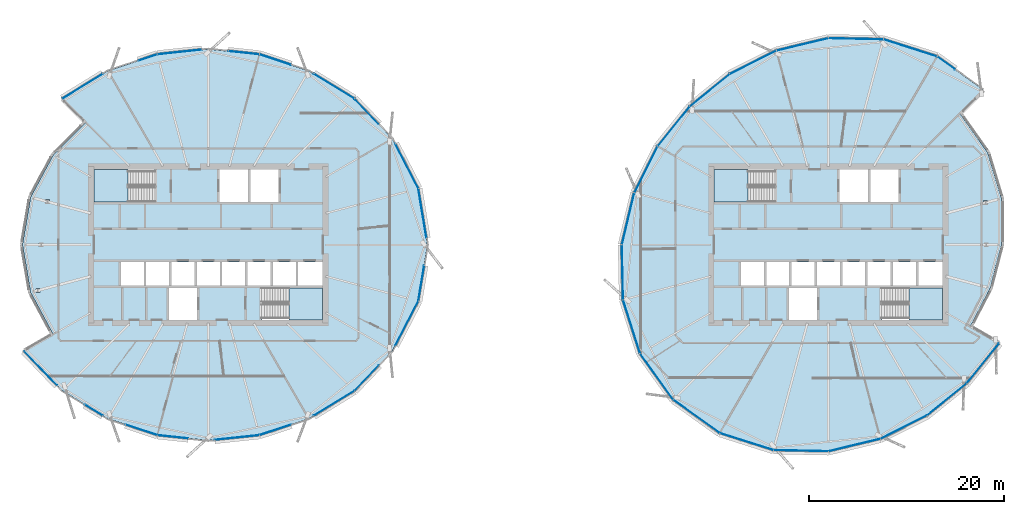
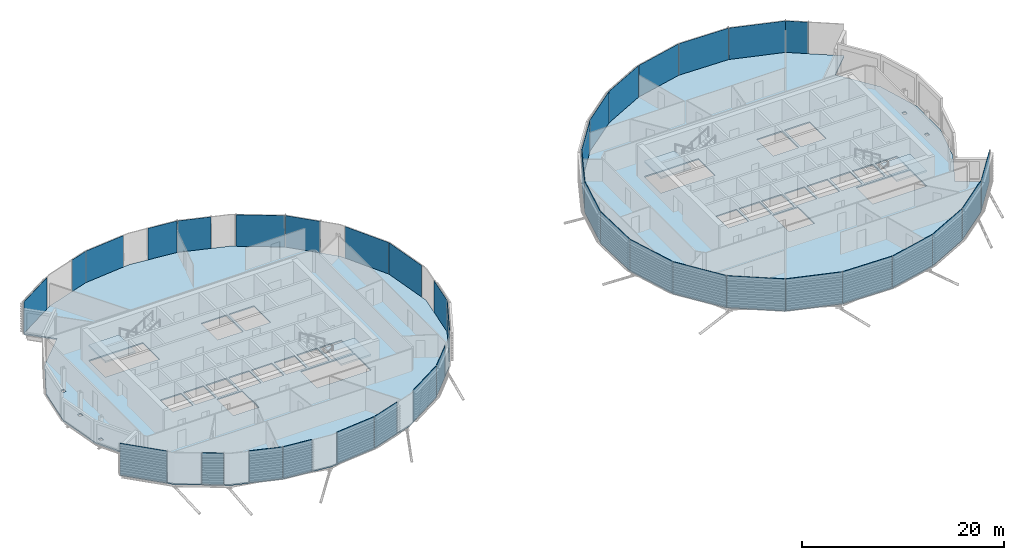
# One storey, part 18 of 37: 38 plates, 6 slabs, 6 elements without a shape of their own.
"""IFC4 building model written with IfcOpenShell, lengths in metres."""

from ifc_helpers import new_model, si_unit, direction, frame, origin, origin_2d, place, context, subcontext, project, spatial, polyline, rectangle, outline, extrude, material, layer, layer_set, type_object, element, aggregate, save


model = new_model("IFC4")

# Units and contexts
model_context = context("Model", 3, precision=1e-05, world=origin(), true_north=direction((0.0, 1.0)))
body_context = subcontext(model_context, "Body", "Model", "MODEL_VIEW")
ifc_project = project(units=[si_unit("LENGTHUNIT", "METRE"), si_unit("AREAUNIT", "SQUARE_METRE"), si_unit("VOLUMEUNIT", "CUBIC_METRE"), si_unit("PLANEANGLEUNIT", "RADIAN"), si_unit("MASSUNIT", "GRAM", prefix="KILO")], contexts=[model_context])

# Site, building, storey
site_placement = place(None, origin())
site = spatial("IfcSite", under=ifc_project, at=site_placement, CompositionType="ELEMENT")
building_placement = place(site_placement, origin())
building = spatial("IfcBuilding", under=site, at=building_placement, Name="Rimbun Link Towers", CompositionType="ELEMENT")
storey_placement = place(building_placement, frame((0.0, 0.0, 166.5)))
storey = spatial("IfcBuildingStorey", under=building, at=storey_placement, Name="L40", CompositionType="ELEMENT", Elevation=166.5)

# Slabs
ifc_material_1 = material(Name="Concrete C35/45", Category="concrete")
ifc_layer_1 = layer(ifc_material_1, 0.14990234375)
ifc_layer_set_1 = layer_set([ifc_layer_1], Name="COMPOSITE FLOOR 150")
slab_type_1 = type_object("IfcSlabType", Name="COMPOSITE FLOOR 150", PredefinedType="FLOOR", material=ifc_layer_set_1)
slab_1_placement = place(storey_placement, frame((0.0, 0.0, -0.14990234375)))
element("IfcSlab", 1, at=slab_1_placement, inside=storey, type_object=slab_type_1, Name="Floor slab T1 L40", PredefinedType="FLOOR", context=body_context, shape_type="SweptSolid", body=[
    extrude(outline(polyline([(-42.030029296875, 17.8056640625), (-36.97021484375, 19.482421875), (-31.75, 20.031982421875), (-26.52978515625, 19.482421875), (-21.469970703125, 17.8056640625), (-16.807373046875, 14.942626953125), (-12.909912109375, 10.87744140625), (-10.2607421875, 5.758056640625), (-9.31396484375, 0.0), (-10.2607421875, -5.758056640625), (-12.909912109375, -10.87744140625), (-16.807373046875, -14.942626953125), (-21.469970703125, -17.8056640625), (-26.52978515625, -19.482421875), (-31.75, -20.031982421875), (-36.97021484375, -19.482421875), (-42.030029296875, -17.8056640625), (-46.692626953125, -14.942626953125), (-50.590087890625, -10.87744140625), (-47.645751953125, -9.177490234375), (-49.955078125, -4.8779296875), (-50.785888671875, 0.0), (-49.955078125, 4.8779296875), (-47.645751953125, 9.177490234375), (-44.28857421875, 12.53857421875), (-46.692626953125, 14.942626953125), (-42.030029296875, 17.8056640625)]), holes=[polyline([(-32.89990234375, -7.699951171875), (-32.89990234375, -4.39990234375), (-35.800048828125, -4.39990234375), (-35.800048828125, -7.699951171875), (-32.89990234375, -7.699951171875)]), polyline([(-49.0126953125, -4.875732421875), (-49.0126953125, -4.482177734375), (-49.41162109375, -4.482177734375), (-49.41162109375, -4.875732421875), (-49.0126953125, -4.875732421875)]), polyline([(-38.361083984375, -4.14990234375), (-38.361083984375, -1.75), (-40.70556640625, -1.75), (-40.70556640625, -4.14990234375), (-38.361083984375, -4.14990234375)]), polyline([(-35.7666015625, -4.14990234375), (-35.7666015625, -1.75), (-38.111083984375, -1.75), (-38.111083984375, -4.14990234375), (-35.7666015625, -4.14990234375)]), polyline([(-33.172119140625, -4.14990234375), (-33.172119140625, -1.75), (-35.5166015625, -1.75), (-35.5166015625, -4.14990234375), (-33.172119140625, -4.14990234375)]), polyline([(-48.670654296875, -0.19677734375), (-48.670654296875, 0.19677734375), (-49.069580078125, 0.19677734375), (-49.069580078125, -0.19677734375), (-48.670654296875, -0.19677734375)]), polyline([(-48.0302734375, 4.218994140625), (-48.0302734375, 4.612548828125), (-48.42919921875, 4.612548828125), (-48.42919921875, 4.218994140625), (-48.0302734375, 4.218994140625)]), polyline([(-37.260009765625, 4.39990234375), (-37.260009765625, 7.699951171875), (-43.449951171875, 7.699951171875), (-43.449951171875, 4.39990234375), (-37.260009765625, 4.39990234375)]), polyline([(-20.050048828125, -7.699951171875), (-20.050048828125, -4.39990234375), (-26.239990234375, -4.39990234375), (-26.239990234375, -7.699951171875), (-20.050048828125, -7.699951171875)]), polyline([(-30.577880859375, -4.14990234375), (-30.577880859375, -1.75), (-32.922119140625, -1.75), (-32.922119140625, -4.14990234375), (-30.577880859375, -4.14990234375)]), polyline([(-27.9833984375, -4.14990234375), (-27.9833984375, -1.75), (-30.327880859375, -1.75), (-30.327880859375, -4.14990234375), (-27.9833984375, -4.14990234375)]), polyline([(-25.388916015625, -4.14990234375), (-25.388916015625, -1.75), (-27.7333984375, -1.75), (-27.7333984375, -4.14990234375), (-25.388916015625, -4.14990234375)]), polyline([(-22.79443359375, -4.14990234375), (-22.79443359375, -1.75), (-25.138916015625, -1.75), (-25.138916015625, -4.14990234375), (-22.79443359375, -4.14990234375)]), polyline([(-20.050048828125, -4.14990234375), (-20.050048828125, -1.75), (-22.54443359375, -1.75), (-22.54443359375, -4.14990234375), (-20.050048828125, -4.14990234375)]), polyline([(-27.699951171875, 4.39990234375), (-27.699951171875, 7.699951171875), (-30.60009765625, 7.699951171875), (-30.60009765625, 4.39990234375), (-27.699951171875, 4.39990234375)]), polyline([(-24.550048828125, 4.39990234375), (-24.550048828125, 7.699951171875), (-27.449951171875, 7.699951171875), (-27.449951171875, 4.39990234375), (-24.550048828125, 4.39990234375)])]), origin(), (0.0, 0.0, 1.0), 0.14990234375),
])
slab_2_placement = place(storey_placement, frame((0.0, 0.0, -0.14990234375)))
element("IfcSlab", 2, at=slab_2_placement, inside=storey, type_object=slab_type_1, Name="Floor slab T2 L40", PredefinedType="FLOOR", context=body_context, shape_type="SweptSolid", body=[
    extrude(outline(polyline([(45.914794921875, -14.164794921875), (41.834716796875, -17.46728515625), (37.0712890625, -19.859619140625), (31.75, -21.132080078125), (26.119384765625, -21.013671875), (20.62646484375, -19.2666015625), (15.885498046875, -15.864501953125), (12.4833984375, -11.12353515625), (10.736328125, -5.630615234375), (10.617919921875, 0.0), (11.890380859375, 5.3212890625), (14.28271484375, 10.084716796875), (17.585205078125, 14.164794921875), (21.665283203125, 17.46728515625), (26.4287109375, 19.859619140625), (31.75, 21.132080078125), (37.380615234375, 21.013671875), (42.87353515625, 19.2666015625), (47.614501953125, 15.864501953125), (45.21044921875, 13.46044921875), (48.072265625, 9.423583984375), (49.4794921875, 4.75048828125), (49.482177734375, 0.0), (48.325439453125, -4.44140625), (46.27294921875, -8.384765625), (49.21728515625, -10.084716796875), (45.914794921875, -14.164794921875)]), holes=[polyline([(30.60009765625, -4.39990234375), (27.699951171875, -4.39990234375), (27.699951171875, -7.699951171875), (30.60009765625, -7.699951171875), (30.60009765625, -4.39990234375)]), polyline([(25.138916015625, -4.14990234375), (25.138916015625, -1.75), (22.79443359375, -1.75), (22.79443359375, -4.14990234375), (25.138916015625, -4.14990234375)]), polyline([(27.7333984375, -4.14990234375), (27.7333984375, -1.75), (25.388916015625, -1.75), (25.388916015625, -4.14990234375), (27.7333984375, -4.14990234375)]), polyline([(30.327880859375, -4.14990234375), (30.327880859375, -1.75), (27.9833984375, -1.75), (27.9833984375, -4.14990234375), (30.327880859375, -4.14990234375)]), polyline([(32.922119140625, -4.14990234375), (32.922119140625, -1.75), (30.577880859375, -1.75), (30.577880859375, -4.14990234375), (32.922119140625, -4.14990234375)]), polyline([(35.5166015625, -4.14990234375), (35.5166015625, -1.75), (33.172119140625, -1.75), (33.172119140625, -4.14990234375), (35.5166015625, -4.14990234375)]), polyline([(26.239990234375, 4.39990234375), (26.239990234375, 7.699951171875), (20.050048828125, 7.699951171875), (20.050048828125, 4.39990234375), (26.239990234375, 4.39990234375)]), polyline([(35.800048828125, 4.39990234375), (35.800048828125, 7.699951171875), (32.89990234375, 7.699951171875), (32.89990234375, 4.39990234375), (35.800048828125, 4.39990234375)]), polyline([(43.449951171875, -7.699951171875), (43.449951171875, -4.39990234375), (37.260009765625, -4.39990234375), (37.260009765625, -7.699951171875), (43.449951171875, -7.699951171875)]), polyline([(38.111083984375, -4.14990234375), (38.111083984375, -1.75), (35.7666015625, -1.75), (35.7666015625, -4.14990234375), (38.111083984375, -4.14990234375)]), polyline([(40.70556640625, -4.14990234375), (40.70556640625, -1.75), (38.361083984375, -1.75), (38.361083984375, -4.14990234375), (40.70556640625, -4.14990234375)]), polyline([(43.449951171875, -4.14990234375), (43.449951171875, -1.75), (40.95556640625, -1.75), (40.95556640625, -4.14990234375), (43.449951171875, -4.14990234375)]), polyline([(48.109619140625, -0.19677734375), (48.109619140625, 0.19677734375), (47.710693359375, 0.19677734375), (47.710693359375, -0.19677734375), (48.109619140625, -0.19677734375)]), polyline([(48.05224609375, 4.117919921875), (48.05224609375, 4.511474609375), (47.6533203125, 4.511474609375), (47.6533203125, 4.117919921875), (48.05224609375, 4.117919921875)]), polyline([(38.949951171875, 4.39990234375), (38.949951171875, 7.699951171875), (36.050048828125, 7.699951171875), (36.050048828125, 4.39990234375), (38.949951171875, 4.39990234375)])]), origin(), (0.0, 0.0, 1.0), 0.14990234375),
])

# Curtain wall, plates
ifc_material_2 = material(Name="Aluminium 6063-T6 and low-iron glass", Category="aluminium")
curtain_wall_type = type_object("IfcCurtainWallType", Name="CW1-Z3 unitised vision wall (zone 3)", PredefinedType="NOTDEFINED", material=ifc_material_2)
curtain_wall_1_placement = place(storey_placement, origin())
curtain_wall_1 = element("IfcCurtainWall", 3, at=curtain_wall_1_placement, inside=storey, type_object=curtain_wall_type, Name="CW1 L40 T1", PredefinedType="NOTDEFINED")
ifc_material_3 = material(Name="Low-iron glass, laminated low-e unit", Category="glass")
ifc_layer_2 = layer(ifc_material_3, 0.028076171875)
ifc_layer_set_2 = layer_set([ifc_layer_2], Name="CW1 panel Low-iron glass 28")
plate_type = type_object("IfcPlateType", Name="CW1 panel Low-iron glass 28", PredefinedType="CURTAIN_PANEL", material=ifc_layer_set_2)
plate_1_placement = place(storey_placement, frame((-9.830322265625, 3.2265625, 0.0), z_axis=(0.0, 0.0, 1.0), x_axis=(0.162253229824, -0.986749152222, 0.0)))
plate_1 = element("IfcPlate", 4, at=plate_1_placement, type_object=plate_type, Name="CW1 panel", PredefinedType="CURTAIN_PANEL", context=body_context, shape_type="SweptSolid", body=[
    extrude(rectangle(XDim=5.09521484375, YDim=0.028076171875, at=origin_2d()), origin(), (0.0, 0.0, 1.0), 3.800048828125),
])
plate_2_placement = place(storey_placement, frame((-11.43505859375, 8.0576171875, 0.0), z_axis=(0.0, 0.0, 1.0), x_axis=(0.459564501078, -0.888144396677, 0.0)))
plate_2 = element("IfcPlate", 5, at=plate_2_placement, type_object=plate_type, Name="CW1 panel", PredefinedType="CURTAIN_PANEL", context=body_context, shape_type="SweptSolid", body=[
    extrude(rectangle(XDim=5.124267578125, YDim=0.028076171875, at=origin_2d()), origin(), (0.0, 0.0, 1.0), 3.800048828125),
])
plate_3_placement = place(storey_placement, frame((-15.54052734375, 13.6416015625, 0.0), z_axis=(0.0, 0.0, 1.0), x_axis=(0.692052284405, -0.721847376977, 0.0)))
plate_3 = element("IfcPlate", 6, at=plate_3_placement, type_object=plate_type, Name="CW1 panel", PredefinedType="CURTAIN_PANEL", context=body_context, shape_type="SweptSolid", body=[
    extrude(rectangle(XDim=3.591796875, YDim=0.028076171875, at=origin_2d()), origin(), (0.0, 0.0, 1.0), 3.800048828125),
])
plate_4_placement = place(storey_placement, frame((-18.875732421875, 16.22900390625, 0.0), z_axis=(0.0, 0.0, 1.0), x_axis=(0.85217937547, -0.523249760653, 0.0)))
plate_4 = element("IfcPlate", 7, at=plate_4_placement, type_object=plate_type, Name="CW1 panel", PredefinedType="CURTAIN_PANEL", context=body_context, shape_type="SweptSolid", body=[
    extrude(rectangle(XDim=4.831298828125, YDim=0.028076171875, at=origin_2d()), origin(), (0.0, 0.0, 1.0), 3.800048828125),
])
plate_5_placement = place(storey_placement, frame((-24.897216796875, 18.9560546875, 0.0), z_axis=(0.0, 0.0, 1.0), x_axis=(0.949239009489, -0.314555722988, 0.0)))
plate_5 = element("IfcPlate", 8, at=plate_5_placement, type_object=plate_type, Name="CW1 panel", PredefinedType="CURTAIN_PANEL", context=body_context, shape_type="SweptSolid", body=[
    extrude(rectangle(XDim=3.390380859375, YDim=0.028076171875, at=origin_2d()), origin(), (0.0, 0.0, 1.0), 3.800048828125),
])
plate_6_placement = place(storey_placement, frame((-28.119140625, 19.663818359375, 0.0), z_axis=(0.0, 0.0, 1.0), x_axis=(0.994499605701, -0.104740318219, 0.0)))
plate_6 = element("IfcPlate", 9, at=plate_6_placement, type_object=plate_type, Name="CW1 panel", PredefinedType="CURTAIN_PANEL", context=body_context, shape_type="SweptSolid", body=[
    extrude(rectangle(XDim=3.1591796875, YDim=0.028076171875, at=origin_2d()), origin(), (0.0, 0.0, 1.0), 3.800048828125),
])
plate_7_placement = place(storey_placement, frame((-34.684814453125, 19.737060546875, 0.0), z_axis=(0.0, 0.0, 1.0), x_axis=(0.994499605701, 0.104740318219, 0.0)))
plate_7 = element("IfcPlate", 10, at=plate_7_placement, type_object=plate_type, Name="CW1 panel", PredefinedType="CURTAIN_PANEL", context=body_context, shape_type="SweptSolid", body=[
    extrude(rectangle(XDim=4.55908203125, YDim=0.028076171875, at=origin_2d()), origin(), (0.0, 0.0, 1.0), 3.800048828125),
])
plate_8_placement = place(storey_placement, frame((-37.962158203125, 19.16845703125, 0.0), z_axis=(0.0, 0.0, 1.0), x_axis=(0.949239009489, 0.314555722988, 0.0)))
plate_8 = element("IfcPlate", 11, at=plate_8_placement, type_object=plate_type, Name="CW1 panel", PredefinedType="CURTAIN_PANEL", context=body_context, shape_type="SweptSolid", body=[
    extrude(rectangle(XDim=2.040283203125, YDim=0.028076171875, at=origin_2d()), origin(), (0.0, 0.0, 1.0), 3.800048828125),
])
plate_9_placement = place(storey_placement, frame((-44.624267578125, 16.22900390625, 0.0), z_axis=(0.0, 0.0, 1.0), x_axis=(0.85217937547, 0.523249760653, 0.0)))
plate_9 = element("IfcPlate", 12, at=plate_9_placement, type_object=plate_type, Name="CW1 panel", PredefinedType="CURTAIN_PANEL", context=body_context, shape_type="SweptSolid", body=[
    extrude(rectangle(XDim=4.831298828125, YDim=0.028076171875, at=origin_2d()), origin(), (0.0, 0.0, 1.0), 3.800048828125),
])
plate_10_placement = place(storey_placement, frame((-48.9111328125, -12.64892578125, 0.0), z_axis=(0.0, 0.0, 1.0), x_axis=(-0.692052284405, 0.721847376977, 0.0)))
plate_10 = element("IfcPlate", 13, at=plate_10_placement, type_object=plate_type, Name="CW1 panel", PredefinedType="CURTAIN_PANEL", context=body_context, shape_type="SweptSolid", body=[
    extrude(rectangle(XDim=4.841796875, YDim=0.028076171875, at=origin_2d()), origin(), (0.0, 0.0, 1.0), 3.800048828125),
])
plate_11_placement = place(storey_placement, frame((-43.473876953125, -16.935546875, 0.0), z_axis=(0.0, 0.0, 1.0), x_axis=(-0.85217937547, 0.523249760653, 0.0)))
plate_11 = element("IfcPlate", 14, at=plate_11_placement, type_object=plate_type, Name="CW1 panel", PredefinedType="CURTAIN_PANEL", context=body_context, shape_type="SweptSolid", body=[
    extrude(rectangle(XDim=2.13134765625, YDim=0.028076171875, at=origin_2d()), origin(), (0.0, 0.0, 1.0), 3.800048828125),
])
plate_12_placement = place(storey_placement, frame((-38.602783203125, -18.9560546875, 0.0), z_axis=(0.0, 0.0, 1.0), x_axis=(-0.949239009489, 0.314555722988, 0.0)))
plate_12 = element("IfcPlate", 15, at=plate_12_placement, type_object=plate_type, Name="CW1 panel", PredefinedType="CURTAIN_PANEL", context=body_context, shape_type="SweptSolid", body=[
    extrude(rectangle(XDim=3.390380859375, YDim=0.028076171875, at=origin_2d()), origin(), (0.0, 0.0, 1.0), 3.800048828125),
])
plate_13_placement = place(storey_placement, frame((-35.380859375, -19.663818359375, 0.0), z_axis=(0.0, 0.0, 1.0), x_axis=(-0.994499605701, 0.104740318219, 0.0)))
plate_13 = element("IfcPlate", 16, at=plate_13_placement, type_object=plate_type, Name="CW1 panel", PredefinedType="CURTAIN_PANEL", context=body_context, shape_type="SweptSolid", body=[
    extrude(rectangle(XDim=3.1591796875, YDim=0.028076171875, at=origin_2d()), origin(), (0.0, 0.0, 1.0), 3.800048828125),
])
plate_14_placement = place(storey_placement, frame((-28.815185546875, -19.737060546875, 0.0), z_axis=(0.0, 0.0, 1.0), x_axis=(-0.994499605701, -0.104740318219, 0.0)))
plate_14 = element("IfcPlate", 17, at=plate_14_placement, type_object=plate_type, Name="CW1 panel", PredefinedType="CURTAIN_PANEL", context=body_context, shape_type="SweptSolid", body=[
    extrude(rectangle(XDim=4.55908203125, YDim=0.028076171875, at=origin_2d()), origin(), (0.0, 0.0, 1.0), 3.800048828125),
])
plate_15_placement = place(storey_placement, frame((-24.897216796875, -18.9560546875, 0.0), z_axis=(0.0, 0.0, 1.0), x_axis=(-0.949239009489, -0.314555722988, 0.0)))
plate_15 = element("IfcPlate", 18, at=plate_15_placement, type_object=plate_type, Name="CW1 panel", PredefinedType="CURTAIN_PANEL", context=body_context, shape_type="SweptSolid", body=[
    extrude(rectangle(XDim=3.390380859375, YDim=0.028076171875, at=origin_2d()), origin(), (0.0, 0.0, 1.0), 3.800048828125),
])
plate_16_placement = place(storey_placement, frame((-18.875732421875, -16.22900390625, 0.0), z_axis=(0.0, 0.0, 1.0), x_axis=(-0.85217937547, -0.523249760653, 0.0)))
plate_16 = element("IfcPlate", 19, at=plate_16_placement, type_object=plate_type, Name="CW1 panel", PredefinedType="CURTAIN_PANEL", context=body_context, shape_type="SweptSolid", body=[
    extrude(rectangle(XDim=4.831298828125, YDim=0.028076171875, at=origin_2d()), origin(), (0.0, 0.0, 1.0), 3.800048828125),
])
plate_17_placement = place(storey_placement, frame((-15.54052734375, -13.6416015625, 0.0), z_axis=(0.0, 0.0, 1.0), x_axis=(-0.692052284405, -0.721847376977, 0.0)))
plate_17 = element("IfcPlate", 20, at=plate_17_placement, type_object=plate_type, Name="CW1 panel", PredefinedType="CURTAIN_PANEL", context=body_context, shape_type="SweptSolid", body=[
    extrude(rectangle(XDim=3.591796875, YDim=0.028076171875, at=origin_2d()), origin(), (0.0, 0.0, 1.0), 3.800048828125),
])
plate_18_placement = place(storey_placement, frame((-11.43505859375, -8.0576171875, 0.0), z_axis=(0.0, 0.0, 1.0), x_axis=(-0.459564501078, -0.888144396677, 0.0)))
plate_18 = element("IfcPlate", 21, at=plate_18_placement, type_object=plate_type, Name="CW1 panel", PredefinedType="CURTAIN_PANEL", context=body_context, shape_type="SweptSolid", body=[
    extrude(rectangle(XDim=5.124267578125, YDim=0.028076171875, at=origin_2d()), origin(), (0.0, 0.0, 1.0), 3.800048828125),
])
plate_19_placement = place(storey_placement, frame((-9.947998046875, -3.942138671875, 0.0), z_axis=(0.0, 0.0, 1.0), x_axis=(-0.162253229824, -0.986749152222, 0.0)))
plate_19 = element("IfcPlate", 22, at=plate_19_placement, type_object=plate_type, Name="CW1 panel", PredefinedType="CURTAIN_PANEL", context=body_context, shape_type="SweptSolid", body=[
    extrude(rectangle(XDim=3.645263671875, YDim=0.028076171875, at=origin_2d()), origin(), (0.0, 0.0, 1.0), 3.800048828125),
])
aggregate(curtain_wall_1, [plate_1, plate_2, plate_3, plate_4, plate_5, plate_6, plate_7, plate_8, plate_9, plate_10, plate_11, plate_12, plate_13, plate_14, plate_15, plate_16, plate_17, plate_18, plate_19])

curtain_wall_2_placement = place(storey_placement, origin())
curtain_wall_2 = element("IfcCurtainWall", 23, at=curtain_wall_2_placement, inside=storey, type_object=curtain_wall_type, Name="CW1 L40 T2", PredefinedType="NOTDEFINED")
plate_20_placement = place(storey_placement, frame((43.81005859375, 18.61181640625, 0.0), z_axis=(0.0, 0.0, 1.0), x_axis=(0.812469429261, -0.583003796314, 0.0)))
plate_20 = element("IfcPlate", 24, at=plate_20_placement, type_object=plate_type, Name="CW1 panel", PredefinedType="CURTAIN_PANEL", context=body_context, shape_type="SweptSolid", body=[
    extrude(rectangle(XDim=2.245361328125, YDim=0.028076171875, at=origin_2d()), origin(), (0.0, 0.0, 1.0), 3.800048828125),
])
plate_21_placement = place(storey_placement, frame((40.13134765625, 20.1533203125, 0.0), z_axis=(0.0, 0.0, 1.0), x_axis=(0.952964505749, -0.303081920912, 0.0)))
plate_21 = element("IfcPlate", 25, at=plate_21_placement, type_object=plate_type, Name="CW1 panel", PredefinedType="CURTAIN_PANEL", context=body_context, shape_type="SweptSolid", body=[
    extrude(rectangle(XDim=5.72412109375, YDim=0.028076171875, at=origin_2d()), origin(), (0.0, 0.0, 1.0), 3.800048828125),
])
plate_22_placement = place(storey_placement, frame((34.565673828125, 21.0869140625, 0.0), z_axis=(0.0, 0.0, 1.0), x_axis=(0.999778238808, -0.021058803518, 0.0)))
plate_22 = element("IfcPlate", 26, at=plate_22_placement, type_object=plate_type, Name="CW1 panel", PredefinedType="CURTAIN_PANEL", context=body_context, shape_type="SweptSolid", body=[
    extrude(rectangle(XDim=5.591796875, YDim=0.028076171875, at=origin_2d()), origin(), (0.0, 0.0, 1.0), 3.800048828125),
])
plate_23_placement = place(storey_placement, frame((29.086181640625, 20.509521484375, 0.0), z_axis=(0.0, 0.0, 1.0), x_axis=(0.972569993504, 0.232610420521, 0.0)))
plate_23 = element("IfcPlate", 27, at=plate_23_placement, type_object=plate_type, Name="CW1 panel", PredefinedType="CURTAIN_PANEL", context=body_context, shape_type="SweptSolid", body=[
    extrude(rectangle(XDim=5.431396484375, YDim=0.028076171875, at=origin_2d()), origin(), (0.0, 0.0, 1.0), 3.800048828125),
])
plate_24_placement = place(storey_placement, frame((24.040771484375, 18.676025390625, 0.0), z_axis=(0.0, 0.0, 1.0), x_axis=(0.893649163744, 0.448766277854, 0.0)))
plate_24 = element("IfcPlate", 28, at=plate_24_placement, type_object=plate_type, Name="CW1 panel", PredefinedType="CURTAIN_PANEL", context=body_context, shape_type="SweptSolid", body=[
    extrude(rectangle(XDim=5.290283203125, YDim=0.028076171875, at=origin_2d()), origin(), (0.0, 0.0, 1.0), 3.800048828125),
])
plate_25_placement = place(storey_placement, frame((19.616455078125, 15.826904296875, 0.0), z_axis=(0.0, 0.0, 1.0), x_axis=(0.777268827061, 0.629168634373, 0.0)))
plate_25 = element("IfcPlate", 29, at=plate_25_placement, type_object=plate_type, Name="CW1 panel", PredefinedType="CURTAIN_PANEL", context=body_context, shape_type="SweptSolid", body=[
    extrude(rectangle(XDim=5.209228515625, YDim=0.028076171875, at=origin_2d()), origin(), (0.0, 0.0, 1.0), 3.800048828125),
])
plate_26_placement = place(storey_placement, frame((15.923095703125, 12.133544921875, 0.0), z_axis=(0.0, 0.0, 1.0), x_axis=(0.629168634373, 0.777268827061, 0.0)))
plate_26 = element("IfcPlate", 30, at=plate_26_placement, type_object=plate_type, Name="CW1 panel", PredefinedType="CURTAIN_PANEL", context=body_context, shape_type="SweptSolid", body=[
    extrude(rectangle(XDim=5.209228515625, YDim=0.028076171875, at=origin_2d()), origin(), (0.0, 0.0, 1.0), 3.800048828125),
])
plate_27_placement = place(storey_placement, frame((13.073974609375, 7.709228515625, 0.0), z_axis=(0.0, 0.0, 1.0), x_axis=(0.448766277854, 0.893649163744, 0.0)))
plate_27 = element("IfcPlate", 31, at=plate_27_placement, type_object=plate_type, Name="CW1 panel", PredefinedType="CURTAIN_PANEL", context=body_context, shape_type="SweptSolid", body=[
    extrude(rectangle(XDim=5.290283203125, YDim=0.028076171875, at=origin_2d()), origin(), (0.0, 0.0, 1.0), 3.800048828125),
])
plate_28_placement = place(storey_placement, frame((11.240478515625, 2.663818359375, 0.0), z_axis=(0.0, 0.0, 1.0), x_axis=(0.232610420521, 0.972569993504, 0.0)))
plate_28 = element("IfcPlate", 32, at=plate_28_placement, type_object=plate_type, Name="CW1 panel", PredefinedType="CURTAIN_PANEL", context=body_context, shape_type="SweptSolid", body=[
    extrude(rectangle(XDim=5.431396484375, YDim=0.028076171875, at=origin_2d()), origin(), (0.0, 0.0, 1.0), 3.800048828125),
])
plate_29_placement = place(storey_placement, frame((10.6630859375, -2.815673828125, 0.0), z_axis=(0.0, 0.0, 1.0), x_axis=(-0.021058803518, 0.999778238808, 0.0)))
plate_29 = element("IfcPlate", 33, at=plate_29_placement, type_object=plate_type, Name="CW1 panel", PredefinedType="CURTAIN_PANEL", context=body_context, shape_type="SweptSolid", body=[
    extrude(rectangle(XDim=5.591796875, YDim=0.028076171875, at=origin_2d()), origin(), (0.0, 0.0, 1.0), 3.800048828125),
])
plate_30_placement = place(storey_placement, frame((11.5966796875, -8.38134765625, 0.0), z_axis=(0.0, 0.0, 1.0), x_axis=(-0.303081920912, 0.952964505749, 0.0)))
plate_30 = element("IfcPlate", 34, at=plate_30_placement, type_object=plate_type, Name="CW1 panel", PredefinedType="CURTAIN_PANEL", context=body_context, shape_type="SweptSolid", body=[
    extrude(rectangle(XDim=5.72412109375, YDim=0.028076171875, at=origin_2d()), origin(), (0.0, 0.0, 1.0), 3.800048828125),
])
plate_31_placement = place(storey_placement, frame((14.173095703125, -13.502197265625, 0.0), z_axis=(0.0, 0.0, 1.0), x_axis=(-0.583003796314, 0.812469429261, 0.0)))
plate_31 = element("IfcPlate", 35, at=plate_31_placement, type_object=plate_type, Name="CW1 panel", PredefinedType="CURTAIN_PANEL", context=body_context, shape_type="SweptSolid", body=[
    extrude(rectangle(XDim=5.79541015625, YDim=0.028076171875, at=origin_2d()), origin(), (0.0, 0.0, 1.0), 3.800048828125),
])
plate_32_placement = place(storey_placement, frame((18.247802734375, -17.576904296875, 0.0), z_axis=(0.0, 0.0, 1.0), x_axis=(-0.812469429261, 0.583003796314, 0.0)))
plate_32 = element("IfcPlate", 36, at=plate_32_placement, type_object=plate_type, Name="CW1 panel", PredefinedType="CURTAIN_PANEL", context=body_context, shape_type="SweptSolid", body=[
    extrude(rectangle(XDim=5.79541015625, YDim=0.028076171875, at=origin_2d()), origin(), (0.0, 0.0, 1.0), 3.800048828125),
])
plate_33_placement = place(storey_placement, frame((23.36865234375, -20.1533203125, 0.0), z_axis=(0.0, 0.0, 1.0), x_axis=(-0.952964505749, 0.303081920912, 0.0)))
plate_33 = element("IfcPlate", 37, at=plate_33_placement, type_object=plate_type, Name="CW1 panel", PredefinedType="CURTAIN_PANEL", context=body_context, shape_type="SweptSolid", body=[
    extrude(rectangle(XDim=5.72412109375, YDim=0.028076171875, at=origin_2d()), origin(), (0.0, 0.0, 1.0), 3.800048828125),
])
plate_34_placement = place(storey_placement, frame((28.934326171875, -21.0869140625, 0.0), z_axis=(0.0, 0.0, 1.0), x_axis=(-0.999778238808, 0.021058803518, 0.0)))
plate_34 = element("IfcPlate", 38, at=plate_34_placement, type_object=plate_type, Name="CW1 panel", PredefinedType="CURTAIN_PANEL", context=body_context, shape_type="SweptSolid", body=[
    extrude(rectangle(XDim=5.591796875, YDim=0.028076171875, at=origin_2d()), origin(), (0.0, 0.0, 1.0), 3.800048828125),
])
plate_35_placement = place(storey_placement, frame((34.413818359375, -20.509521484375, 0.0), z_axis=(0.0, 0.0, 1.0), x_axis=(-0.972569993504, -0.232610420521, 0.0)))
plate_35 = element("IfcPlate", 39, at=plate_35_placement, type_object=plate_type, Name="CW1 panel", PredefinedType="CURTAIN_PANEL", context=body_context, shape_type="SweptSolid", body=[
    extrude(rectangle(XDim=5.431396484375, YDim=0.028076171875, at=origin_2d()), origin(), (0.0, 0.0, 1.0), 3.800048828125),
])
plate_36_placement = place(storey_placement, frame((39.459228515625, -18.676025390625, 0.0), z_axis=(0.0, 0.0, 1.0), x_axis=(-0.893649163744, -0.448766277854, 0.0)))
plate_36 = element("IfcPlate", 40, at=plate_36_placement, type_object=plate_type, Name="CW1 panel", PredefinedType="CURTAIN_PANEL", context=body_context, shape_type="SweptSolid", body=[
    extrude(rectangle(XDim=5.290283203125, YDim=0.028076171875, at=origin_2d()), origin(), (0.0, 0.0, 1.0), 3.800048828125),
])
plate_37_placement = place(storey_placement, frame((43.883544921875, -15.826904296875, 0.0), z_axis=(0.0, 0.0, 1.0), x_axis=(-0.777268827061, -0.629168634373, 0.0)))
plate_37 = element("IfcPlate", 41, at=plate_37_placement, type_object=plate_type, Name="CW1 panel", PredefinedType="CURTAIN_PANEL", context=body_context, shape_type="SweptSolid", body=[
    extrude(rectangle(XDim=5.209228515625, YDim=0.028076171875, at=origin_2d()), origin(), (0.0, 0.0, 1.0), 3.800048828125),
])
plate_38_placement = place(storey_placement, frame((47.576904296875, -12.133544921875, 0.0), z_axis=(0.0, 0.0, 1.0), x_axis=(-0.629168634373, -0.777268827061, 0.0)))
plate_38 = element("IfcPlate", 42, at=plate_38_placement, type_object=plate_type, Name="CW1 panel", PredefinedType="CURTAIN_PANEL", context=body_context, shape_type="SweptSolid", body=[
    extrude(rectangle(XDim=5.209228515625, YDim=0.028076171875, at=origin_2d()), origin(), (0.0, 0.0, 1.0), 3.800048828125),
])
aggregate(curtain_wall_2, [plate_20, plate_21, plate_22, plate_23, plate_24, plate_25, plate_26, plate_27, plate_28, plate_29, plate_30, plate_31, plate_32, plate_33, plate_34, plate_35, plate_36, plate_37, plate_38])

# Stair, slab
ifc_material_4 = material(Name="Concrete C40/50", Category="concrete")
stair_type = type_object("IfcStairType", Name="Exit stair 3800 rise", PredefinedType="HALF_TURN_STAIR", material=ifc_material_4)
stair_1_placement = place(storey_placement, origin())
stair_1 = element("IfcStair", 43, at=stair_1_placement, inside=storey, type_object=stair_type, Name="L40 EXIT STAIR A", PredefinedType="HALF_TURN_STAIR")
ifc_material_5 = material(Name="Concrete C40/50", Category="concrete")
ifc_layer_3 = layer(ifc_material_5, 0.199951171875)
ifc_layer_set_3 = layer_set([ifc_layer_3], Name="Stair landing")
slab_type_2 = type_object("IfcSlabType", Name="Stair landing", PredefinedType="LANDING", material=ifc_layer_set_3)
slab_3_placement = place(storey_placement, frame((0.0, 0.0, 1.699951171875)))
slab_3 = element("IfcSlab", 44, at=slab_3_placement, type_object=slab_type_2, Name="ST1 landing 1", PredefinedType="LANDING", context=body_context, shape_type="SweptSolid", body=[
    extrude(outline(polyline([(-40.0, 7.699951171875), (-43.449951171875, 7.699951171875), (-43.449951171875, 4.39990234375), (-40.0, 4.39990234375), (-40.0, 7.699951171875)])), origin(), (0.0, 0.0, 1.0), 0.199951171875),
])
aggregate(stair_1, [slab_3])

stair_2_placement = place(storey_placement, origin())
stair_2 = element("IfcStair", 45, at=stair_2_placement, inside=storey, type_object=stair_type, Name="L40 EXIT STAIR B", PredefinedType="HALF_TURN_STAIR")
slab_4_placement = place(storey_placement, frame((0.0, 0.0, 1.699951171875)))
slab_4 = element("IfcSlab", 46, at=slab_4_placement, type_object=slab_type_2, Name="ST2 landing 1", PredefinedType="LANDING", context=body_context, shape_type="SweptSolid", body=[
    extrude(outline(polyline([(-23.5, -7.699951171875), (-20.050048828125, -7.699951171875), (-20.050048828125, -4.39990234375), (-23.5, -4.39990234375), (-23.5, -7.699951171875)])), origin(), (0.0, 0.0, 1.0), 0.199951171875),
])
aggregate(stair_2, [slab_4])

stair_3_placement = place(storey_placement, origin())
stair_3 = element("IfcStair", 47, at=stair_3_placement, inside=storey, type_object=stair_type, Name="L40 EXIT STAIR A", PredefinedType="HALF_TURN_STAIR")
slab_5_placement = place(storey_placement, frame((0.0, 0.0, 1.699951171875)))
slab_5 = element("IfcSlab", 48, at=slab_5_placement, type_object=slab_type_2, Name="ST3 landing 1", PredefinedType="LANDING", context=body_context, shape_type="SweptSolid", body=[
    extrude(outline(polyline([(23.5, 7.699951171875), (20.050048828125, 7.699951171875), (20.050048828125, 4.39990234375), (23.5, 4.39990234375), (23.5, 7.699951171875)])), origin(), (0.0, 0.0, 1.0), 0.199951171875),
])
aggregate(stair_3, [slab_5])

stair_4_placement = place(storey_placement, origin())
stair_4 = element("IfcStair", 49, at=stair_4_placement, inside=storey, type_object=stair_type, Name="L40 EXIT STAIR B", PredefinedType="HALF_TURN_STAIR")
slab_6_placement = place(storey_placement, frame((0.0, 0.0, 1.699951171875)))
slab_6 = element("IfcSlab", 50, at=slab_6_placement, type_object=slab_type_2, Name="ST4 landing 1", PredefinedType="LANDING", context=body_context, shape_type="SweptSolid", body=[
    extrude(outline(polyline([(40.0, -7.699951171875), (43.449951171875, -7.699951171875), (43.449951171875, -4.39990234375), (40.0, -4.39990234375), (40.0, -7.699951171875)])), origin(), (0.0, 0.0, 1.0), 0.199951171875),
])
aggregate(stair_4, [slab_6])

save(model, "model.ifc")
